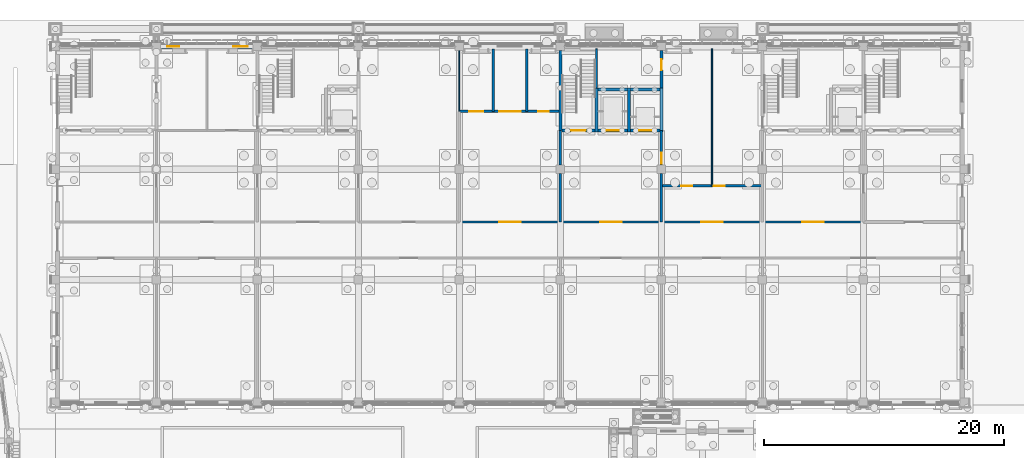
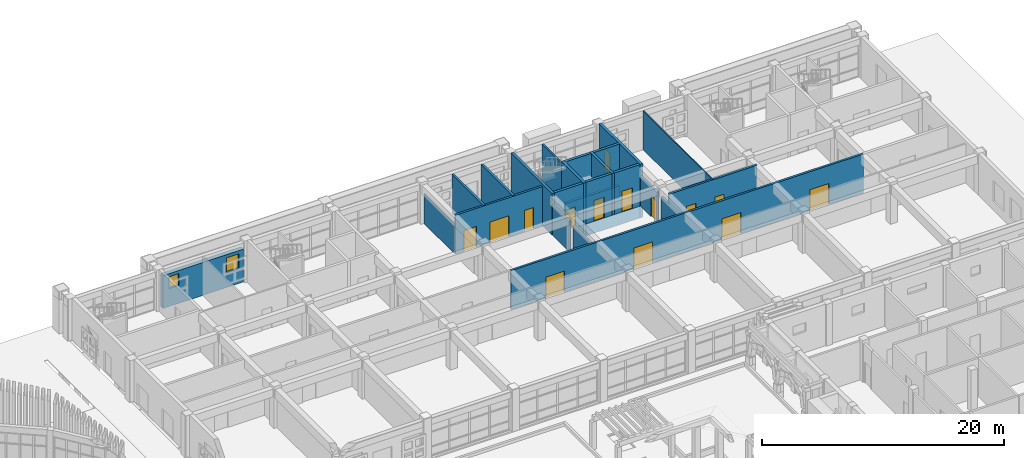
# One storey, part 73 of 112: 26 walls, 14 doors, 2 windows, 16 openings.
"""IFC4 building model written with IfcOpenShell, lengths in metres."""

from ifc_helpers import new_model, si_unit, direction, frame, frame_2d, origin, place, context, subcontext, project, spatial, rectangle, extrude, material, layer, layer_set, type_object, element, fill, save


model = new_model("IFC4")

# Units and contexts
model_context = context("Model", 3, precision=1e-05, world=origin(), true_north=direction((0.0, 1.0)))
body_context = subcontext(model_context, "Body", "Model", "MODEL_VIEW")
ifc_project = project(units=[si_unit("LENGTHUNIT", "METRE"), si_unit("AREAUNIT", "SQUARE_METRE"), si_unit("VOLUMEUNIT", "CUBIC_METRE"), si_unit("PLANEANGLEUNIT", "RADIAN"), si_unit("MASSUNIT", "GRAM", prefix="KILO")], contexts=[model_context])

# Site, building, storey
site_placement = place(None, origin())
site = spatial("IfcSite", under=ifc_project, at=site_placement, CompositionType="ELEMENT")
building_placement = place(site_placement, origin())
building = spatial("IfcBuilding", under=site, at=building_placement, Name="Wasatch Bagh Community Centre", CompositionType="ELEMENT")
storey_placement = place(building_placement, origin())
storey = spatial("IfcBuildingStorey", under=building, at=storey_placement, Name="L00", CompositionType="ELEMENT", Elevation=0.0)

# Wall, opening, door
ifc_material_1 = material(Name="Concrete C40", Category="concrete")
ifc_layer_1 = layer(ifc_material_1, 0.25)
ifc_layer_set_1 = layer_set([ifc_layer_1], Name="Concrete C40")
wall_type_1 = type_object("IfcWallType", Name="LW core wall 250", PredefinedType="SHEAR", material=ifc_layer_set_1)
wall_1_placement = place(storey_placement, frame((106.125, 90.800048828125, 0.0), z_axis=(0.0, 0.0, 1.0), x_axis=(1.0, 0.0, 0.0)))
wall_1 = element("IfcWall", 1, at=wall_1_placement, inside=storey, type_object=wall_type_1, Name="LW.swall.L00.04", PredefinedType="SHEAR", context=body_context, shape_type="SweptSolid", body=[
    extrude(rectangle(XDim=2.75, YDim=0.25, at=frame_2d((1.375, 0.0))), origin(), (0.0, 0.0, 1.0), 4.199951171875),
])
opening_1_placement = place(wall_1_placement, frame((0.77490234375, 0.0, 0.0)))
opening_1 = element("IfcOpeningElement", 2, at=opening_1_placement, cuts=wall_1, Name="Opening 0L-48", PredefinedType="OPENING", context=body_context, shape_type="SweptSolid", body=[
    extrude(rectangle(XDim=1.199951171875, YDim=2.10009765625, at=frame_2d((0.60009765625, 1.050048828125))), frame((0.0, 0.135009765625, 0.0), z_axis=(0.0, -1.0, 0.0), x_axis=(1.0, 0.0, 0.0)), (0.0, 0.0, 1.0), 0.27001953125),
])
ifc_material_2 = material(Name="Painted timber", Category="wood")
door_type_1 = type_object("IfcDoorType", Name="LW stair door 1200x2100", OperationType="SINGLE_SWING_LEFT", PredefinedType="DOOR", material=ifc_material_2)
door_1_placement = place(opening_1_placement, origin())
door_1 = element("IfcDoor", 3, at=door_1_placement, inside=storey, type_object=door_type_1, Name="Stair door 0L-48", OperationType="SINGLE_SWING_RIGHT", OverallHeight=2.10009765625, OverallWidth=1.199951171875, PredefinedType="DOOR", context=body_context, shape_type="SweptSolid", body=[
    extrude(rectangle(XDim=1.199951171875, YDim=2.10009765625, at=frame_2d((0.60009765625, 1.050048828125))), frame((0.0, 0.02490234375, 0.0), z_axis=(0.0, -1.0, 0.0), x_axis=(1.0, 0.0, 0.0)), (0.0, 0.0, 1.0), 0.050048828125),
])
fill(opening_1, door_1)

wall_2_placement = place(storey_placement, frame((109.125, 90.800048828125, 0.0), z_axis=(0.0, 0.0, 1.0), x_axis=(1.0, 0.0, 0.0)))
wall_2 = element("IfcWall", 4, at=wall_2_placement, inside=storey, type_object=wall_type_1, Name="LW.swall.L00.05", PredefinedType="SHEAR", context=body_context, shape_type="SweptSolid", body=[
    extrude(rectangle(XDim=2.449951171875, YDim=0.25, at=frame_2d((1.22509765625, 0.0))), origin(), (0.0, 0.0, 1.0), 4.199951171875),
])
opening_2_placement = place(wall_2_placement, frame((0.72509765625, 0.0, 0.0)))
opening_2 = element("IfcOpeningElement", 5, at=opening_2_placement, cuts=wall_2, Name="Opening 0L-49", PredefinedType="OPENING", context=body_context, shape_type="SweptSolid", body=[
    extrude(rectangle(XDim=1.0, YDim=2.10009765625, at=frame_2d((0.5, 1.050048828125))), frame((0.0, 0.135009765625, 0.0), z_axis=(0.0, -1.0, 0.0), x_axis=(1.0, 0.0, 0.0)), (0.0, 0.0, 1.0), 0.27001953125),
])
ifc_material_3 = material(Name="Stainless steel landing door", Category="steel")
door_type_2 = type_object("IfcDoorType", Name="Lift landing door 1000 x 2100", OperationType="SLIDING_TO_LEFT", PredefinedType="DOOR", material=ifc_material_3)
door_2_placement = place(opening_2_placement, origin())
door_2 = element("IfcDoor", 6, at=door_2_placement, inside=storey, type_object=door_type_2, Name="Lift landing door LD 0L-49", OperationType="SLIDING_TO_LEFT", OverallHeight=2.10009765625, OverallWidth=1.0, PredefinedType="DOOR", context=body_context, shape_type="SweptSolid", body=[
    extrude(rectangle(XDim=1.0, YDim=2.10009765625, at=frame_2d((0.5, 1.050048828125))), frame((0.0, 0.02490234375, 0.0), z_axis=(0.0, -1.0, 0.0), x_axis=(1.0, 0.0, 0.0)), (0.0, 0.0, 1.0), 0.050048828125),
])
fill(opening_2, door_2)

wall_3_placement = place(storey_placement, frame((111.824951171875, 90.800048828125, 0.0), z_axis=(0.0, 0.0, 1.0), x_axis=(1.0, 0.0, 0.0)))
wall_3 = element("IfcWall", 7, at=wall_3_placement, inside=storey, type_object=wall_type_1, Name="LW.swall.L00.06", PredefinedType="SHEAR", context=body_context, shape_type="SweptSolid", body=[
    extrude(rectangle(XDim=2.449951171875, YDim=0.25, at=frame_2d((1.22509765625, 0.0))), origin(), (0.0, 0.0, 1.0), 4.199951171875),
])
opening_3_placement = place(wall_3_placement, frame((0.72509765625, 0.0, 0.0)))
opening_3 = element("IfcOpeningElement", 8, at=opening_3_placement, cuts=wall_3, Name="Opening 0L-50", PredefinedType="OPENING", context=body_context, shape_type="SweptSolid", body=[
    extrude(rectangle(XDim=1.0, YDim=2.10009765625, at=frame_2d((0.5, 1.050048828125))), frame((0.0, 0.135009765625, 0.0), z_axis=(0.0, -1.0, 0.0), x_axis=(1.0, 0.0, 0.0)), (0.0, 0.0, 1.0), 0.27001953125),
])
door_3_placement = place(opening_3_placement, origin())
door_3 = element("IfcDoor", 9, at=door_3_placement, inside=storey, type_object=door_type_2, Name="Lift landing door LD 0L-50", OperationType="SLIDING_TO_LEFT", OverallHeight=2.10009765625, OverallWidth=1.0, PredefinedType="DOOR", context=body_context, shape_type="SweptSolid", body=[
    extrude(rectangle(XDim=1.0, YDim=2.10009765625, at=frame_2d((0.5, 1.050048828125))), frame((0.0, 0.02490234375, 0.0), z_axis=(0.0, -1.0, 0.0), x_axis=(1.0, 0.0, 0.0)), (0.0, 0.0, 1.0), 0.050048828125),
])
fill(opening_3, door_3)

# Walls
for number, where, z_axis, x_axis, name in (
    (10, (109.125, 94.199951171875, 0.0), (0.0, 0.0, 1.0), (1.0, 0.0, 0.0), "LW.swall.L00.11"),
    (11, (111.824951171875, 94.199951171875, 0.0), (0.0, 0.0, 1.0), (1.0, 0.0, 0.0), "LW.swall.L00.12"),
):
    element("IfcWall", number, at=place(storey_placement, frame(where, z_axis=z_axis, x_axis=x_axis)), inside=storey, type_object=wall_type_1, Name=name, PredefinedType="SHEAR", context=body_context, shape_type="SweptSolid", body=[
        extrude(rectangle(XDim=2.449951171875, YDim=0.25, at=frame_2d((1.22509765625, 0.0))), origin(), (0.0, 0.0, 1.0), 4.199951171875),
    ])
wall_4_placement = place(storey_placement, frame((106.0, 90.675048828125, 0.0), z_axis=(0.0, 0.0, 1.0), x_axis=(0.0, 1.0, 0.0)))
element("IfcWall", 12, at=wall_4_placement, inside=storey, type_object=wall_type_1, Name="LW.swall.L00.21", PredefinedType="SHEAR", context=body_context, shape_type="SweptSolid", body=[
    extrude(rectangle(XDim=6.77490234375, YDim=0.25, at=frame_2d((3.387451171875, 0.0))), origin(), (0.0, 0.0, 1.0), 4.199951171875),
])
for number, where, z_axis, x_axis, name in (
    (13, (109.0, 90.675048828125, 0.0), (0.0, 0.0, 1.0), (0.0, 1.0, 0.0), "LW.swall.L00.22"),
    (14, (111.699951171875, 90.675048828125, 0.0), (0.0, 0.0, 1.0), (0.0, 1.0, 0.0), "LW.swall.L00.23"),
):
    element("IfcWall", number, at=place(storey_placement, frame(where, z_axis=z_axis, x_axis=x_axis)), inside=storey, type_object=wall_type_1, Name=name, PredefinedType="SHEAR", context=body_context, shape_type="SweptSolid", body=[
        extrude(rectangle(XDim=3.64990234375, YDim=0.25, at=frame_2d((1.824951171875, 0.0))), origin(), (0.0, 0.0, 1.0), 4.199951171875),
    ])

# Wall, opening, door
wall_5_placement = place(storey_placement, frame((114.39990234375, 90.675048828125, 0.0), z_axis=(0.0, 0.0, 1.0), x_axis=(0.0, 1.0, 0.0)))
wall_5 = element("IfcWall", 15, at=wall_5_placement, inside=storey, type_object=wall_type_1, Name="LW.swall.L00.24", PredefinedType="SHEAR", context=body_context, shape_type="SweptSolid", body=[
    extrude(rectangle(XDim=6.77490234375, YDim=0.25, at=frame_2d((3.387451171875, 0.0))), origin(), (0.0, 0.0, 1.0), 4.199951171875),
])
opening_4_placement = place(wall_5_placement, frame((5.14990234375, 0.0, 0.0)))
opening_4 = element("IfcOpeningElement", 16, at=opening_4_placement, cuts=wall_5, Name="Opening 0L-31", PredefinedType="OPENING", context=body_context, shape_type="SweptSolid", body=[
    extrude(rectangle(XDim=0.89990234375, YDim=2.10009765625, at=frame_2d((0.449951171875, 1.050048828125))), frame((0.0, 0.135009765625, 0.0), z_axis=(0.0, -1.0, 0.0), x_axis=(1.0, 0.0, 0.0)), (0.0, 0.0, 1.0), 0.27001953125),
])
door_type_3 = type_object("IfcDoorType", Name="LW WC door 900x2100", OperationType="SINGLE_SWING_LEFT", PredefinedType="DOOR", material=ifc_material_2)
door_4_placement = place(opening_4_placement, origin())
door_4 = element("IfcDoor", 17, at=door_4_placement, inside=storey, type_object=door_type_3, Name="Door Women's Toilets 0L-31", OperationType="SINGLE_SWING_LEFT", OverallHeight=2.10009765625, OverallWidth=0.89990234375, PredefinedType="DOOR", context=body_context, shape_type="SweptSolid", body=[
    extrude(rectangle(XDim=0.89990234375, YDim=2.10009765625, at=frame_2d((0.449951171875, 1.050048828125))), frame((0.0, 0.02490234375, 0.0), z_axis=(0.0, -1.0, 0.0), x_axis=(1.0, 0.0, 0.0)), (0.0, 0.0, 1.0), 0.050048828125),
])
fill(opening_4, door_4)

# Wall, openings, windows
ifc_material_4 = material(Name="Concrete C35", Category="concrete")
ifc_layer_2 = layer(ifc_material_4, 0.39990234375)
ifc_layer_set_2 = layer_set([ifc_layer_2], Name="Concrete C35")
wall_type_2 = type_object("IfcWallType", Name="LW facade wall 400", PredefinedType="SOLIDWALL", material=ifc_layer_set_2)
wall_6_placement = place(storey_placement, frame((72.75, 97.800048828125, 0.0), z_axis=(0.0, 0.0, 1.0), x_axis=(1.0, 0.0, 0.0)))
wall_6 = element("IfcWall", 18, at=wall_6_placement, inside=storey, type_object=wall_type_2, Name="Facade wall", PredefinedType="SOLIDWALL", context=body_context, shape_type="SweptSolid", body=[
    extrude(rectangle(XDim=7.699951171875, YDim=0.39990234375, at=frame_2d((3.85009765625, 0.0))), origin(), (0.0, 0.0, 1.0), 3.320068359375),
])
opening_5_placement = place(wall_6_placement, frame((0.550048828125, 0.0, 1.800048828125)))
opening_5 = element("IfcOpeningElement", 19, at=opening_5_placement, cuts=wall_6, Name="Opening 0L-W009", PredefinedType="OPENING", context=body_context, shape_type="SweptSolid", body=[
    extrude(rectangle(XDim=1.0, YDim=1.199951171875, at=frame_2d((0.5, 0.60009765625))), frame((0.0, 0.2099609375, 0.0), z_axis=(0.0, -1.0, 0.0), x_axis=(1.0, 0.0, 0.0)), (0.0, 0.0, 1.0), 0.419921875),
])
opening_6_placement = place(wall_6_placement, frame((6.050048828125, 0.0, 1.5)))
opening_6 = element("IfcOpeningElement", 20, at=opening_6_placement, cuts=wall_6, Name="Opening 0L-W010", PredefinedType="OPENING", context=body_context, shape_type="SweptSolid", body=[
    extrude(rectangle(XDim=1.199951171875, YDim=1.5, at=frame_2d((0.60009765625, 0.75))), frame((0.0, 0.2099609375, 0.0), z_axis=(0.0, -1.0, 0.0), x_axis=(1.0, 0.0, 0.0)), (0.0, 0.0, 1.0), 0.419921875),
])
ifc_material_5 = material(Name="Aluminium framed double glazing", Category="aluminium")
window_type_1 = type_object("IfcWindowType", Name="LW children's toilet window 1000x1200", PartitioningType="SINGLE_PANEL", PredefinedType="WINDOW", material=ifc_material_5)
window_1_placement = place(opening_5_placement, origin())
window_1 = element("IfcWindow", 21, at=window_1_placement, inside=storey, type_object=window_type_1, Name="Window 0L-W009", OverallHeight=1.199951171875, OverallWidth=1.0, PartitioningType="SINGLE_PANEL", PredefinedType="WINDOW", context=body_context, shape_type="SweptSolid", body=[
    extrude(rectangle(XDim=1.0, YDim=1.199951171875, at=frame_2d((0.5, 0.60009765625))), frame((0.0, 0.030029296875, 0.0), z_axis=(0.0, -1.0, 0.0), x_axis=(1.0, 0.0, 0.0)), (0.0, 0.0, 1.0), 0.06005859375),
])
fill(opening_5, window_1)
window_type_2 = type_object("IfcWindowType", Name="LW kitchen window 1200x1500", PartitioningType="SINGLE_PANEL", PredefinedType="WINDOW", material=ifc_material_5)
window_2_placement = place(opening_6_placement, origin())
window_2 = element("IfcWindow", 22, at=window_2_placement, inside=storey, type_object=window_type_2, Name="Window 0L-W010", OverallHeight=1.5, OverallWidth=1.199951171875, PartitioningType="SINGLE_PANEL", PredefinedType="WINDOW", context=body_context, shape_type="SweptSolid", body=[
    extrude(rectangle(XDim=1.199951171875, YDim=1.5, at=frame_2d((0.60009765625, 0.75))), frame((0.0, 0.030029296875, 0.0), z_axis=(0.0, -1.0, 0.0), x_axis=(1.0, 0.0, 0.0)), (0.0, 0.0, 1.0), 0.06005859375),
])
fill(opening_6, window_2)

# Wall, openings, doors
ifc_material_6 = material(Name="Blockwork fire partition", Category="masonry")
ifc_layer_3 = layer(ifc_material_6, 0.199951171875)
ifc_layer_set_3 = layer_set([ifc_layer_3], Name="Blockwork fire partition")
wall_type_3 = type_object("IfcWallType", Name="LW fire partition 200", PredefinedType="PARTITIONING", material=ifc_layer_set_3)
wall_7_placement = place(storey_placement, frame((97.60009765625, 83.199951171875, 0.0), z_axis=(0.0, 0.0, 1.0), x_axis=(1.0, 0.0, 0.0)))
wall_7 = element("IfcWall", 23, at=wall_7_placement, inside=storey, type_object=wall_type_3, Name="LW.part.L00.006", PredefinedType="PARTITIONING", context=body_context, shape_type="SweptSolid", body=[
    extrude(rectangle(XDim=33.599853515625, YDim=0.199951171875, at=frame_2d((16.7998046875, 0.0))), origin(), (0.0, 0.0, 1.0), 3.919921875),
])
opening_7_placement = place(wall_7_placement, frame((3.300048828125, 0.0, 0.0)))
opening_7 = element("IfcOpeningElement", 24, at=opening_7_placement, cuts=wall_7, Name="Opening 0L-41", PredefinedType="OPENING", context=body_context, shape_type="SweptSolid", body=[
    extrude(rectangle(XDim=1.800048828125, YDim=2.10009765625, at=frame_2d((0.89990234375, 1.050048828125))), frame((0.0, 0.10986328125, 0.0), z_axis=(0.0, -1.0, 0.0), x_axis=(1.0, 0.0, 0.0)), (0.0, 0.0, 1.0), 0.219970703125),
])
opening_8_placement = place(wall_7_placement, frame((11.699951171875, 0.0, 0.0)))
opening_8 = element("IfcOpeningElement", 25, at=opening_8_placement, cuts=wall_7, Name="Opening 0L-42", PredefinedType="OPENING", context=body_context, shape_type="SweptSolid", body=[
    extrude(rectangle(XDim=1.800048828125, YDim=2.10009765625, at=frame_2d((0.89990234375, 1.050048828125))), frame((0.0, 0.10986328125, 0.0), z_axis=(0.0, -1.0, 0.0), x_axis=(1.0, 0.0, 0.0)), (0.0, 0.0, 1.0), 0.219970703125),
])
opening_9_placement = place(wall_7_placement, frame((20.10009765625, 0.0, 0.0)))
opening_9 = element("IfcOpeningElement", 26, at=opening_9_placement, cuts=wall_7, Name="Opening 0L-43", PredefinedType="OPENING", context=body_context, shape_type="SweptSolid", body=[
    extrude(rectangle(XDim=1.800048828125, YDim=2.10009765625, at=frame_2d((0.89990234375, 1.050048828125))), frame((0.0, 0.10986328125, 0.0), z_axis=(0.0, -1.0, 0.0), x_axis=(1.0, 0.0, 0.0)), (0.0, 0.0, 1.0), 0.219970703125),
])
opening_10_placement = place(wall_7_placement, frame((28.5, 0.0, 0.0)))
opening_10 = element("IfcOpeningElement", 27, at=opening_10_placement, cuts=wall_7, Name="Opening 0L-44", PredefinedType="OPENING", context=body_context, shape_type="SweptSolid", body=[
    extrude(rectangle(XDim=1.800048828125, YDim=2.10009765625, at=frame_2d((0.89990234375, 1.050048828125))), frame((0.0, 0.10986328125, 0.0), z_axis=(0.0, -1.0, 0.0), x_axis=(1.0, 0.0, 0.0)), (0.0, 0.0, 1.0), 0.219970703125),
])
door_type_4 = type_object("IfcDoorType", Name="LW door pair 1800x2100", OperationType="DOUBLE_DOOR_SINGLE_SWING", PredefinedType="DOOR", material=ifc_material_2)
door_5_placement = place(opening_7_placement, origin())
door_5 = element("IfcDoor", 28, at=door_5_placement, inside=storey, type_object=door_type_4, Name="Door Wing Entrance Lobby 0L-41", OperationType="DOUBLE_DOOR_SINGLE_SWING", OverallHeight=2.10009765625, OverallWidth=1.800048828125, PredefinedType="DOOR", context=body_context, shape_type="SweptSolid", body=[
    extrude(rectangle(XDim=1.800048828125, YDim=2.10009765625, at=frame_2d((0.89990234375, 1.050048828125))), frame((0.0, 0.02490234375, 0.0), z_axis=(0.0, -1.0, 0.0), x_axis=(1.0, 0.0, 0.0)), (0.0, 0.0, 1.0), 0.050048828125),
])
fill(opening_7, door_5)
door_6_placement = place(opening_8_placement, origin())
door_6 = element("IfcDoor", 29, at=door_6_placement, inside=storey, type_object=door_type_4, Name="Door Core Lobby C2 0L-42", OperationType="DOUBLE_DOOR_SINGLE_SWING", OverallHeight=2.10009765625, OverallWidth=1.800048828125, PredefinedType="DOOR", context=body_context, shape_type="SweptSolid", body=[
    extrude(rectangle(XDim=1.800048828125, YDim=2.10009765625, at=frame_2d((0.89990234375, 1.050048828125))), frame((0.0, 0.02490234375, 0.0), z_axis=(0.0, -1.0, 0.0), x_axis=(1.0, 0.0, 0.0)), (0.0, 0.0, 1.0), 0.050048828125),
])
fill(opening_8, door_6)
door_7_placement = place(opening_9_placement, origin())
door_7 = element("IfcDoor", 30, at=door_7_placement, inside=storey, type_object=door_type_4, Name="Door WC Lobby 0L-43", OperationType="DOUBLE_DOOR_SINGLE_SWING", OverallHeight=2.10009765625, OverallWidth=1.800048828125, PredefinedType="DOOR", context=body_context, shape_type="SweptSolid", body=[
    extrude(rectangle(XDim=1.800048828125, YDim=2.10009765625, at=frame_2d((0.89990234375, 1.050048828125))), frame((0.0, 0.02490234375, 0.0), z_axis=(0.0, -1.0, 0.0), x_axis=(1.0, 0.0, 0.0)), (0.0, 0.0, 1.0), 0.050048828125),
])
fill(opening_9, door_7)
door_8_placement = place(opening_10_placement, origin())
door_8 = element("IfcDoor", 31, at=door_8_placement, inside=storey, type_object=door_type_4, Name="Door Core Lobby C3 0L-44", OperationType="DOUBLE_DOOR_SINGLE_SWING", OverallHeight=2.10009765625, OverallWidth=1.800048828125, PredefinedType="DOOR", context=body_context, shape_type="SweptSolid", body=[
    extrude(rectangle(XDim=1.800048828125, YDim=2.10009765625, at=frame_2d((0.89990234375, 1.050048828125))), frame((0.0, 0.02490234375, 0.0), z_axis=(0.0, -1.0, 0.0), x_axis=(1.0, 0.0, 0.0)), (0.0, 0.0, 1.0), 0.050048828125),
])
fill(opening_10, door_8)

wall_8_placement = place(storey_placement, frame((114.39990234375, 86.199951171875, 0.0), z_axis=(0.0, 0.0, 1.0), x_axis=(1.0, 0.0, 0.0)))
wall_8 = element("IfcWall", 32, at=wall_8_placement, inside=storey, type_object=wall_type_3, Name="LW.part.L00.009", PredefinedType="PARTITIONING", context=body_context, shape_type="SweptSolid", body=[
    extrude(rectangle(XDim=8.400146484375, YDim=0.199951171875, at=frame_2d((4.2001953125, 0.0))), origin(), (0.0, 0.0, 1.0), 3.919921875),
])
opening_11_placement = place(wall_8_placement, frame((1.64990234375, 0.0, 0.0)))
opening_11 = element("IfcOpeningElement", 33, at=opening_11_placement, cuts=wall_8, Name="Opening 0L-32", PredefinedType="OPENING", context=body_context, shape_type="SweptSolid", body=[
    extrude(rectangle(XDim=0.89990234375, YDim=2.10009765625, at=frame_2d((0.449951171875, 1.050048828125))), frame((0.0, 0.10986328125, 0.0), z_axis=(0.0, -1.0, 0.0), x_axis=(1.0, 0.0, 0.0)), (0.0, 0.0, 1.0), 0.219970703125),
])
opening_12_placement = place(wall_8_placement, frame((4.35009765625, 0.0, 0.0)))
opening_12 = element("IfcOpeningElement", 34, at=opening_12_placement, cuts=wall_8, Name="Opening 0L-33", PredefinedType="OPENING", context=body_context, shape_type="SweptSolid", body=[
    extrude(rectangle(XDim=0.89990234375, YDim=2.10009765625, at=frame_2d((0.449951171875, 1.050048828125))), frame((0.0, 0.10986328125, 0.0), z_axis=(0.0, -1.0, 0.0), x_axis=(1.0, 0.0, 0.0)), (0.0, 0.0, 1.0), 0.219970703125),
])
door_9_placement = place(opening_11_placement, origin())
door_9 = element("IfcDoor", 35, at=door_9_placement, inside=storey, type_object=door_type_3, Name="Door Women's Toilets 0L-32", OperationType="SINGLE_SWING_RIGHT", OverallHeight=2.10009765625, OverallWidth=0.89990234375, PredefinedType="DOOR", context=body_context, shape_type="SweptSolid", body=[
    extrude(rectangle(XDim=0.89990234375, YDim=2.10009765625, at=frame_2d((0.449951171875, 1.050048828125))), frame((0.0, 0.02490234375, 0.0), z_axis=(0.0, -1.0, 0.0), x_axis=(1.0, 0.0, 0.0)), (0.0, 0.0, 1.0), 0.050048828125),
])
fill(opening_11, door_9)
door_10_placement = place(opening_12_placement, origin())
door_10 = element("IfcDoor", 36, at=door_10_placement, inside=storey, type_object=door_type_3, Name="Door Men's Toilets 0L-33", OperationType="SINGLE_SWING_LEFT", OverallHeight=2.10009765625, OverallWidth=0.89990234375, PredefinedType="DOOR", context=body_context, shape_type="SweptSolid", body=[
    extrude(rectangle(XDim=0.89990234375, YDim=2.10009765625, at=frame_2d((0.449951171875, 1.050048828125))), frame((0.0, 0.02490234375, 0.0), z_axis=(0.0, -1.0, 0.0), x_axis=(1.0, 0.0, 0.0)), (0.0, 0.0, 1.0), 0.050048828125),
])
fill(opening_12, door_10)

wall_9_placement = place(storey_placement, frame((97.60009765625, 92.39990234375, 0.0), z_axis=(0.0, 0.0, 1.0), x_axis=(1.0, 0.0, 0.0)))
wall_9 = element("IfcWall", 37, at=wall_9_placement, inside=storey, type_object=wall_type_3, Name="LW.part.L00.012", PredefinedType="PARTITIONING", context=body_context, shape_type="SweptSolid", body=[
    extrude(rectangle(XDim=8.39990234375, YDim=0.199951171875, at=frame_2d((4.199951171875, 0.0))), origin(), (0.0, 0.0, 1.0), 3.919921875),
])
opening_13_placement = place(wall_9_placement, frame((0.824951171875, 0.0, 0.0)))
opening_13 = element("IfcOpeningElement", 38, at=opening_13_placement, cuts=wall_9, Name="Opening 0L-28", PredefinedType="OPENING", context=body_context, shape_type="SweptSolid", body=[
    extrude(rectangle(XDim=1.14990234375, YDim=2.10009765625, at=frame_2d((0.574951171875, 1.050048828125))), frame((0.0, 0.10986328125, 0.0), z_axis=(0.0, -1.0, 0.0), x_axis=(1.0, 0.0, 0.0)), (0.0, 0.0, 1.0), 0.219970703125),
])
opening_14_placement = place(wall_9_placement, frame((6.574951171875, 0.0, 0.0)))
opening_14 = element("IfcOpeningElement", 39, at=opening_14_placement, cuts=wall_9, Name="Opening 0L-29", PredefinedType="OPENING", context=body_context, shape_type="SweptSolid", body=[
    extrude(rectangle(XDim=0.85009765625, YDim=2.10009765625, at=frame_2d((0.425048828125, 1.050048828125))), frame((0.0, 0.10986328125, 0.0), z_axis=(0.0, -1.0, 0.0), x_axis=(1.0, 0.0, 0.0)), (0.0, 0.0, 1.0), 0.219970703125),
])
opening_15_placement = place(wall_9_placement, frame((3.300048828125, 0.0, 0.0)))
opening_15 = element("IfcOpeningElement", 40, at=opening_15_placement, cuts=wall_9, Name="Opening 0L-39", PredefinedType="OPENING", context=body_context, shape_type="SweptSolid", body=[
    extrude(rectangle(XDim=1.800048828125, YDim=2.10009765625, at=frame_2d((0.89990234375, 1.050048828125))), frame((0.0, 0.10986328125, 0.0), z_axis=(0.0, -1.0, 0.0), x_axis=(1.0, 0.0, 0.0)), (0.0, 0.0, 1.0), 0.219970703125),
])
door_type_5 = type_object("IfcDoorType", Name="LW accessible WC door 1150x2100", OperationType="SINGLE_SWING_LEFT", PredefinedType="DOOR", material=ifc_material_2)
door_11_placement = place(opening_13_placement, origin())
door_11 = element("IfcDoor", 41, at=door_11_placement, inside=storey, type_object=door_type_5, Name="Door Accessible WC 1 0L-28", OperationType="SINGLE_SWING_RIGHT", OverallHeight=2.10009765625, OverallWidth=1.14990234375, PredefinedType="DOOR", context=body_context, shape_type="SweptSolid", body=[
    extrude(rectangle(XDim=1.14990234375, YDim=2.10009765625, at=frame_2d((0.574951171875, 1.050048828125))), frame((0.0, 0.02490234375, 0.0), z_axis=(0.0, -1.0, 0.0), x_axis=(1.0, 0.0, 0.0)), (0.0, 0.0, 1.0), 0.050048828125),
])
fill(opening_13, door_11)
door_12_placement = place(opening_15_placement, origin())
door_12 = element("IfcDoor", 42, at=door_12_placement, inside=storey, type_object=door_type_4, Name="Door Street Entrance Vestibule 0L-39", OperationType="DOUBLE_DOOR_SINGLE_SWING", OverallHeight=2.10009765625, OverallWidth=1.800048828125, PredefinedType="DOOR", context=body_context, shape_type="SweptSolid", body=[
    extrude(rectangle(XDim=1.800048828125, YDim=2.10009765625, at=frame_2d((0.89990234375, 1.050048828125))), frame((0.0, 0.02490234375, 0.0), z_axis=(0.0, -1.0, 0.0), x_axis=(1.0, 0.0, 0.0)), (0.0, 0.0, 1.0), 0.050048828125),
])
fill(opening_15, door_12)
door_type_6 = type_object("IfcDoorType", Name="LW office door 850x2100", OperationType="SINGLE_SWING_LEFT", PredefinedType="DOOR", material=ifc_material_2)
door_13_placement = place(opening_14_placement, origin())
door_13 = element("IfcDoor", 43, at=door_13_placement, inside=storey, type_object=door_type_6, Name="Door Reception Office 0L-29", OperationType="SINGLE_SWING_LEFT", OverallHeight=2.10009765625, OverallWidth=0.85009765625, PredefinedType="DOOR", context=body_context, shape_type="SweptSolid", body=[
    extrude(rectangle(XDim=0.85009765625, YDim=2.10009765625, at=frame_2d((0.425048828125, 1.050048828125))), frame((0.0, 0.02490234375, 0.0), z_axis=(0.0, -1.0, 0.0), x_axis=(1.0, 0.0, 0.0)), (0.0, 0.0, 1.0), 0.050048828125),
])
fill(opening_14, door_13)

# Walls
for number, where, z_axis, x_axis, name in (
    (44, (100.39990234375, 92.39990234375, 0.0), (0.0, 0.0, 1.0), (0.0, 1.0, 0.0), "LW.part.L00.027"),
    (45, (103.199951171875, 92.39990234375, 0.0), (0.0, 0.0, 1.0), (0.0, 1.0, 0.0), "LW.part.L00.028"),
):
    element("IfcWall", number, at=place(storey_placement, frame(where, z_axis=z_axis, x_axis=x_axis)), inside=storey, type_object=wall_type_3, Name=name, PredefinedType="PARTITIONING", context=body_context, shape_type="SweptSolid", body=[
        extrude(rectangle(XDim=5.2001953125, YDim=0.199951171875, at=frame_2d((2.60009765625, 0.0))), origin(), (0.0, 0.0, 1.0), 3.919921875),
    ])
wall_10_placement = place(storey_placement, frame((106.0, 83.199951171875, 0.0), z_axis=(0.0, 0.0, 1.0), x_axis=(0.0, 1.0, 0.0)))
element("IfcWall", 46, at=wall_10_placement, inside=storey, type_object=wall_type_3, Name="LW.part.L00.029", PredefinedType="PARTITIONING", context=body_context, shape_type="SweptSolid", body=[
    extrude(rectangle(XDim=4.050048828125, YDim=0.199951171875, at=frame_2d((2.02490234375, 0.0))), origin(), (0.0, 0.0, 1.0), 3.02001953125),
])
wall_11_placement = place(storey_placement, frame((106.0, 87.949951171875, 0.0), z_axis=(0.0, 0.0, 1.0), x_axis=(0.0, 1.0, 0.0)))
element("IfcWall", 47, at=wall_11_placement, inside=storey, type_object=wall_type_3, Name="LW.part.L00.030", PredefinedType="PARTITIONING", context=body_context, shape_type="SweptSolid", body=[
    extrude(rectangle(XDim=2.85009765625, YDim=0.199951171875, at=frame_2d((1.425048828125, 0.0))), origin(), (0.0, 0.0, 1.0), 3.02001953125),
])
wall_12_placement = place(storey_placement, frame((114.39990234375, 83.199951171875, 0.0), z_axis=(0.0, 0.0, 1.0), x_axis=(0.0, 1.0, 0.0)))
element("IfcWall", 48, at=wall_12_placement, inside=storey, type_object=wall_type_3, Name="LW.part.L00.033", PredefinedType="PARTITIONING", context=body_context, shape_type="SweptSolid", body=[
    extrude(rectangle(XDim=4.050048828125, YDim=0.199951171875, at=frame_2d((2.02490234375, 0.0))), origin(), (0.0, 0.0, 1.0), 3.02001953125),
])

# Wall, opening, door
wall_13_placement = place(storey_placement, frame((114.39990234375, 87.949951171875, 0.0), z_axis=(0.0, 0.0, 1.0), x_axis=(0.0, 1.0, 0.0)))
wall_13 = element("IfcWall", 49, at=wall_13_placement, inside=storey, type_object=wall_type_3, Name="LW.part.L00.034", PredefinedType="PARTITIONING", context=body_context, shape_type="SweptSolid", body=[
    extrude(rectangle(XDim=2.85009765625, YDim=0.199951171875, at=frame_2d((1.425048828125, 0.0))), origin(), (0.0, 0.0, 1.0), 3.02001953125),
])
opening_16_placement = place(wall_13_placement, frame((0.10009765625, 0.0, 0.0)))
opening_16 = element("IfcOpeningElement", 50, at=opening_16_placement, cuts=wall_13, Name="Opening 0L-30", PredefinedType="OPENING", context=body_context, shape_type="SweptSolid", body=[
    extrude(rectangle(XDim=0.89990234375, YDim=2.10009765625, at=frame_2d((0.449951171875, 1.050048828125))), frame((0.0, 0.10986328125, 0.0), z_axis=(0.0, -1.0, 0.0), x_axis=(1.0, 0.0, 0.0)), (0.0, 0.0, 1.0), 0.219970703125),
])
door_14_placement = place(opening_16_placement, origin())
door_14 = element("IfcDoor", 51, at=door_14_placement, inside=storey, type_object=door_type_3, Name="Door Women's Toilets 0L-30", OperationType="SINGLE_SWING_RIGHT", OverallHeight=2.10009765625, OverallWidth=0.89990234375, PredefinedType="DOOR", context=body_context, shape_type="SweptSolid", body=[
    extrude(rectangle(XDim=0.89990234375, YDim=2.10009765625, at=frame_2d((0.449951171875, 1.050048828125))), frame((0.0, 0.02490234375, 0.0), z_axis=(0.0, -1.0, 0.0), x_axis=(1.0, 0.0, 0.0)), (0.0, 0.0, 1.0), 0.050048828125),
])
fill(opening_16, door_14)

# Walls
ifc_layer_4 = layer(ifc_material_4, 0.25)
ifc_layer_set_4 = layer_set([ifc_layer_4], Name="Concrete C35")
wall_type_4 = type_object("IfcWallType", Name="LW lift pit wall 250", PredefinedType="SOLIDWALL", material=ifc_layer_set_4)
for number, where, z_axis, x_axis, name in (
    (52, (109.125, 90.800048828125, -1.199951171875), (0.0, 0.0, 1.0), (1.0, 0.0, 0.0), "LW.pit.C2.wall1"),
    (53, (109.125, 94.199951171875, -1.199951171875), (0.0, 0.0, 1.0), (1.0, 0.0, 0.0), "LW.pit.C2.wall2"),
):
    element("IfcWall", number, at=place(storey_placement, frame(where, z_axis=z_axis, x_axis=x_axis)), inside=storey, type_object=wall_type_4, Name=name, PredefinedType="SOLIDWALL", context=body_context, shape_type="SweptSolid", body=[
        extrude(rectangle(XDim=5.14990234375, YDim=0.25, at=frame_2d((2.574951171875, 0.0))), origin(), (0.0, 0.0, 1.0), 1.199951171875),
    ])
for number, where, z_axis, x_axis, name in (
    (54, (109.0, 90.675048828125, -1.199951171875), (0.0, 0.0, 1.0), (0.0, 1.0, 0.0), "LW.pit.C2.wall3"),
    (55, (114.39990234375, 90.675048828125, -1.199951171875), (0.0, 0.0, 1.0), (0.0, 1.0, 0.0), "LW.pit.C2.wall4"),
):
    element("IfcWall", number, at=place(storey_placement, frame(where, z_axis=z_axis, x_axis=x_axis)), inside=storey, type_object=wall_type_4, Name=name, PredefinedType="SOLIDWALL", context=body_context, shape_type="SweptSolid", body=[
        extrude(rectangle(XDim=3.64990234375, YDim=0.25, at=frame_2d((1.824951171875, 0.0))), origin(), (0.0, 0.0, 1.0), 1.199951171875),
    ])
ifc_material_7 = material(Name="Gypsum board on steel studs", Category="steel")
ifc_layer_5 = layer(ifc_material_7, 0.14990234375)
ifc_layer_set_5 = layer_set([ifc_layer_5], Name="Gypsum board on steel studs")
wall_type_5 = type_object("IfcWallType", Name="LW partition 150", PredefinedType="PARTITIONING", material=ifc_layer_set_5)
wall_14_placement = place(storey_placement, frame((109.0, 94.324951171875, 0.0), z_axis=(0.0, 0.0, 1.0), x_axis=(0.0, 1.0, 0.0)))
element("IfcWall", 56, at=wall_14_placement, inside=storey, type_object=wall_type_5, Name="Stair compartment wall", PredefinedType="PARTITIONING", context=body_context, shape_type="SweptSolid", body=[
    extrude(rectangle(XDim=3.275146484375, YDim=0.14990234375, at=frame_2d((1.6376953125, 0.0))), origin(), (0.0, 0.0, 1.0), 3.919921875),
])
ifc_material_8 = material(Name="Tiled blockwork", Category="masonry")
ifc_layer_6 = layer(ifc_material_8, 0.10009765625)
ifc_layer_set_6 = layer_set([ifc_layer_6], Name="Tiled blockwork")
wall_type_6 = type_object("IfcWallType", Name="LW wet-room partition 100", PredefinedType="PARTITIONING", material=ifc_layer_set_6)
wall_15_placement = place(storey_placement, frame((97.60009765625, 92.39990234375, 0.0), z_axis=(0.0, 0.0, 1.0), x_axis=(0.0, 1.0, 0.0)))
element("IfcWall", 57, at=wall_15_placement, inside=storey, type_object=wall_type_6, Name="LW.part.L00.026", PredefinedType="PARTITIONING", context=body_context, shape_type="SweptSolid", body=[
    extrude(rectangle(XDim=5.050048828125, YDim=0.10009765625, at=frame_2d((2.52490234375, 0.0))), origin(), (0.0, 0.0, 1.0), 3.02001953125),
])
wall_16_placement = place(storey_placement, frame((118.60009765625, 86.199951171875, 0.0), z_axis=(0.0, 0.0, 1.0), x_axis=(0.0, 1.0, 0.0)))
element("IfcWall", 58, at=wall_16_placement, inside=storey, type_object=wall_type_6, Name="LW.part.L00.037", PredefinedType="PARTITIONING", context=body_context, shape_type="SweptSolid", body=[
    extrude(rectangle(XDim=11.400146484375, YDim=0.10009765625, at=frame_2d((5.7001953125, 0.0))), origin(), (0.0, 0.0, 1.0), 3.919921875),
])

save(model, "model.ifc")
